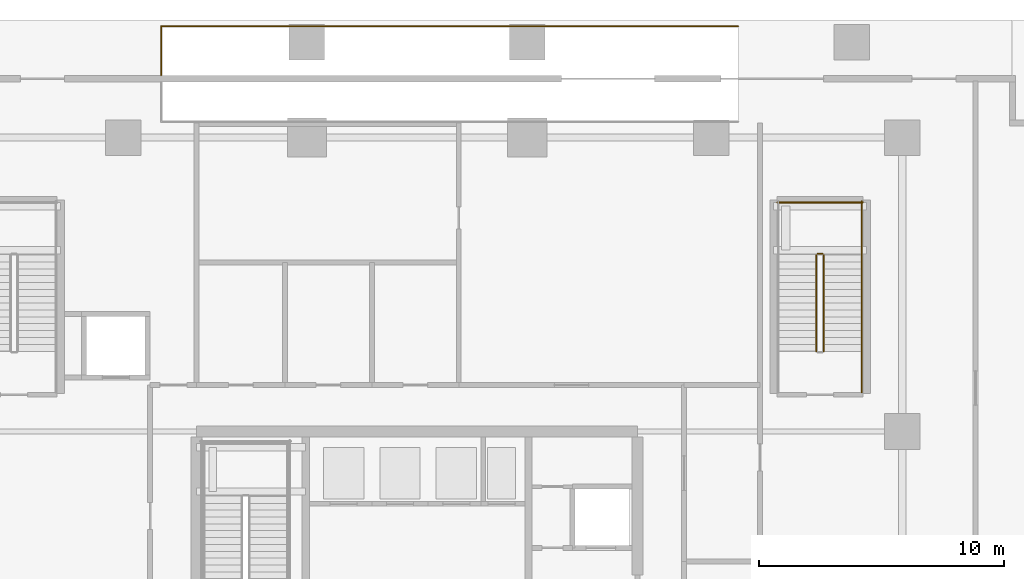
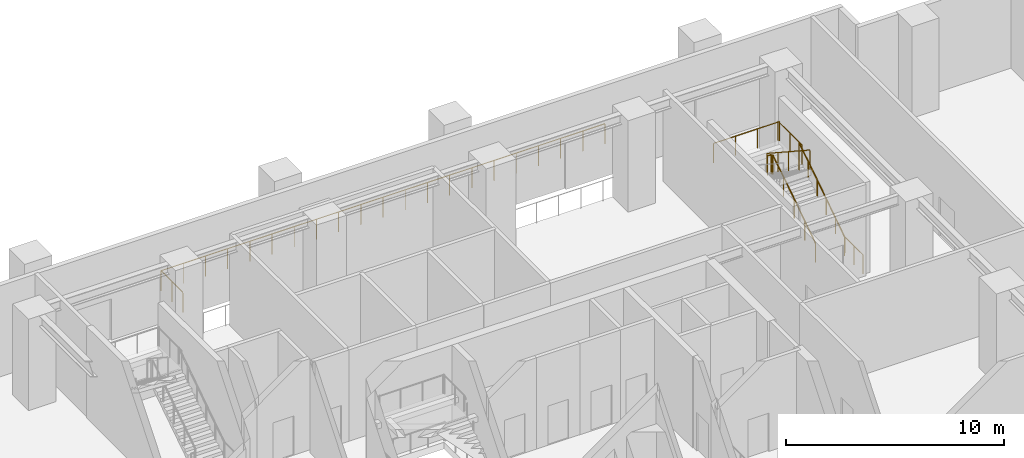
# One storey, part 14 of 15: 8 railings.
"""IFC4 building model written with IfcOpenShell, lengths in metres."""

from ifc_helpers import new_model, si_unit, direction, frame, origin, origin_2d, place, context, subcontext, project, spatial, circle, extrude, material, type_object, element, save


model = new_model("IFC4")

# Units and contexts
model_context = context("Model", 3, precision=1e-05, world=origin(), true_north=direction((0.0, 1.0)))
body_context = subcontext(model_context, "Body", "Model", "MODEL_VIEW")
ifc_project = project(units=[si_unit("LENGTHUNIT", "METRE"), si_unit("AREAUNIT", "SQUARE_METRE"), si_unit("VOLUMEUNIT", "CUBIC_METRE"), si_unit("PLANEANGLEUNIT", "RADIAN"), si_unit("MASSUNIT", "GRAM", prefix="KILO")], contexts=[model_context])

# Site, building, storey
site_placement = place(None, origin())
site = spatial("IfcSite", under=ifc_project, at=site_placement, CompositionType="ELEMENT")
building_placement = place(site_placement, origin())
building = spatial("IfcBuilding", under=site, at=building_placement, Name="Serunith Strait Residences", CompositionType="ELEMENT")
storey_placement = place(building_placement, origin())
storey = spatial("IfcBuildingStorey", under=building, at=storey_placement, Name="L00", CompositionType="ELEMENT", Elevation=0.0)

# Railings
ifc_material = material(Name="Brushed stainless steel 316L", Category="steel")
railing_type_1 = type_object("IfcRailingType", Name="RLG-STAIR-GUARD", PredefinedType="BALUSTRADE", material=ifc_material)
railing_1_placement = place(storey_placement, frame((49.0, 36.8798828125, 0.183349609375)))
element("IfcRailing", 1, at=railing_1_placement, inside=storey, type_object=railing_type_1, Name="L00 ST-4 stair guard 1", PredefinedType="BALUSTRADE", context=body_context, shape_type="SweptSolid", body=[
    extrude(circle(Radius=0.02392578125, at=origin_2d()), frame((0.0, 0.001708984375, 1.0771484375), z_axis=(0.0, 0.836630751959, 0.54776727255), x_axis=(-1.0, 0.0, 0.0)), (0.0, 0.0, 1.0), 4.681640625),
    extrude(circle(Radius=0.02099609375, at=origin_2d()), origin(), (0.0, 0.0, 1.0), 1.050048828125),
    extrude(circle(Radius=0.02099609375, at=origin_2d()), frame((0.0, 0.97998046875, 0.6416015625)), (0.0, 0.0, 1.0), 1.050048828125),
    extrude(circle(Radius=0.02099609375, at=origin_2d()), frame((0.0, 1.9599609375, 1.283203125)), (0.0, 0.0, 1.0), 1.050048828125),
    extrude(circle(Radius=0.02099609375, at=origin_2d()), frame((0.0, 2.940185546875, 1.925048828125)), (0.0, 0.0, 1.0), 1.050048828125),
    extrude(circle(Radius=0.02099609375, at=origin_2d()), frame((0.0, 3.920166015625, 2.566650390625)), (0.0, 0.0, 1.0), 1.050048828125),
])
railing_2_placement = place(storey_placement, frame((48.949951171875, 40.85009765625, 2.75)))
element("IfcRailing", 2, at=railing_2_placement, inside=storey, type_object=railing_type_1, Name="L00 ST-4 stair guard 2", PredefinedType="BALUSTRADE", context=body_context, shape_type="SweptSolid", body=[
    extrude(circle(Radius=0.02392578125, at=origin_2d()), frame((-0.001953125, 0.0, 1.076171875), z_axis=(-1.0, 0.0, 0.0), x_axis=(0.0, -1.0, 0.0)), (0.0, 0.0, 1.0), 0.196044921875),
    extrude(circle(Radius=0.02099609375, at=origin_2d()), origin(), (0.0, 0.0, 1.0), 1.050048828125),
    extrude(circle(Radius=0.02099609375, at=origin_2d()), frame((-0.199951171875, 0.0, 0.0)), (0.0, 0.0, 1.0), 1.050048828125),
])
railing_3_placement = place(storey_placement, frame((50.550048828125, 40.800048828125, 2.75)))
element("IfcRailing", 3, at=railing_3_placement, inside=storey, type_object=railing_type_1, Name="L00 ST-4 stair guard 3", PredefinedType="BALUSTRADE", context=body_context, shape_type="SweptSolid", body=[
    extrude(circle(Radius=0.02392578125, at=origin_2d()), frame((0.0, 0.001953125, 1.076171875), z_axis=(0.0, 1.0, 0.0), x_axis=(-1.0, 0.0, 0.0)), (0.0, 0.0, 1.0), 2.196044921875),
    extrude(circle(Radius=0.02099609375, at=origin_2d()), origin(), (0.0, 0.0, 1.0), 1.050048828125),
    extrude(circle(Radius=0.02099609375, at=origin_2d()), frame((0.0, 1.10009765625, 0.0)), (0.0, 0.0, 1.0), 1.050048828125),
    extrude(circle(Radius=0.02099609375, at=origin_2d()), frame((0.0, 2.199951171875, 0.0)), (0.0, 0.0, 1.0), 1.050048828125),
])
railing_4_placement = place(storey_placement, frame((50.60009765625, 42.949951171875, 2.75)))
element("IfcRailing", 4, at=railing_4_placement, inside=storey, type_object=railing_type_1, Name="L00 ST-4 stair guard 5", PredefinedType="BALUSTRADE", context=body_context, shape_type="SweptSolid", body=[
    extrude(circle(Radius=0.02392578125, at=origin_2d()), frame((-0.001953125, 0.0, 1.076171875), z_axis=(-1.0, 0.0, 0.0), x_axis=(0.0, -1.0, 0.0)), (0.0, 0.0, 1.0), 3.49609375),
    extrude(circle(Radius=0.02099609375, at=origin_2d()), origin(), (0.0, 0.0, 1.0), 1.050048828125),
    extrude(circle(Radius=0.02099609375, at=origin_2d()), frame((-1.166748046875, 0.0, 0.0)), (0.0, 0.0, 1.0), 1.050048828125),
    extrude(circle(Radius=0.02099609375, at=origin_2d()), frame((-2.333251953125, 0.0, 0.0)), (0.0, 0.0, 1.0), 1.050048828125),
    extrude(circle(Radius=0.02099609375, at=origin_2d()), frame((-3.5, 0.0, 0.0)), (0.0, 0.0, 1.0), 1.050048828125),
])
railing_5_placement = place(storey_placement, frame((48.699951171875, 40.800048828125, 2.933349609375)))
element("IfcRailing", 5, at=railing_5_placement, inside=storey, type_object=railing_type_1, Name="L00 ST-4 stair guard 6", PredefinedType="BALUSTRADE", context=body_context, shape_type="SweptSolid", body=[
    extrude(circle(Radius=0.02392578125, at=origin_2d()), frame((0.0, -0.001708984375, 1.0771484375), z_axis=(0.0, -0.836630751959, 0.54776727255), x_axis=(1.0, 0.0, 0.0)), (0.0, 0.0, 1.0), 4.681640625),
    extrude(circle(Radius=0.02099609375, at=origin_2d()), origin(), (0.0, 0.0, 1.0), 1.050048828125),
    extrude(circle(Radius=0.02099609375, at=origin_2d()), frame((0.0, -0.97998046875, 0.6416015625)), (0.0, 0.0, 1.0), 1.050048828125),
    extrude(circle(Radius=0.02099609375, at=origin_2d()), frame((0.0, -1.9599609375, 1.283203125)), (0.0, 0.0, 1.0), 1.050048828125),
    extrude(circle(Radius=0.02099609375, at=origin_2d()), frame((0.0, -2.940185546875, 1.925048828125)), (0.0, 0.0, 1.0), 1.050048828125),
    extrude(circle(Radius=0.02099609375, at=origin_2d()), frame((0.0, -3.920166015625, 2.566650390625)), (0.0, 0.0, 1.0), 1.050048828125),
])
railing_6_placement = place(storey_placement, frame((50.550048828125, 35.199951171875, 0.0)))
element("IfcRailing", 6, at=railing_6_placement, inside=storey, type_object=railing_type_1, Name="L00 ST-4 stair guard 8", PredefinedType="BALUSTRADE", context=body_context, shape_type="SweptSolid", body=[
    extrude(circle(Radius=0.02392578125, at=origin_2d()), frame((0.0, 0.001953125, 1.076171875), z_axis=(0.0, 1.0, 0.0), x_axis=(-1.0, 0.0, 0.0)), (0.0, 0.0, 1.0), 1.676025390625),
    extrude(circle(Radius=0.02099609375, at=origin_2d()), origin(), (0.0, 0.0, 1.0), 1.050048828125),
    extrude(circle(Radius=0.02099609375, at=origin_2d()), frame((0.0, 0.83984375, 0.0)), (0.0, 0.0, 1.0), 1.050048828125),
    extrude(circle(Radius=0.02099609375, at=origin_2d()), frame((0.0, 1.679931640625, 0.0)), (0.0, 0.0, 1.0), 1.050048828125),
])
railing_7_placement = place(storey_placement, frame((21.949951171875, 48.14990234375, 0.0)))
element("IfcRailing", 7, at=railing_7_placement, inside=storey, type_object=railing_type_1, Name="L00 Vehicle Ramp Well Driveway Safety Balustrade", PredefinedType="BALUSTRADE", context=body_context, shape_type="SweptSolid", body=[
    extrude(circle(Radius=0.02392578125, at=origin_2d()), frame((0.0, 0.001953125, 1.1259765625), z_axis=(0.0, 1.0, 0.0), x_axis=(-1.0, 0.0, 0.0)), (0.0, 0.0, 1.0), 1.99609375),
    extrude(circle(Radius=0.02392578125, at=origin_2d()), frame((0.001953125, 2.0, 1.1259765625), z_axis=(1.0, 0.0, 0.0), x_axis=(0.0, 1.0, 0.0)), (0.0, 0.0, 1.0), 23.546142578125),
    extrude(circle(Radius=0.02099609375, at=origin_2d()), origin(), (0.0, 0.0, 1.0), 1.099853515625),
    extrude(circle(Radius=0.02099609375, at=origin_2d()), frame((0.0, 1.0, 0.0)), (0.0, 0.0, 1.0), 1.099853515625),
    extrude(circle(Radius=0.02099609375, at=origin_2d()), frame((0.0, 2.0, 0.0)), (0.0, 0.0, 1.0), 1.099853515625),
    extrude(circle(Radius=0.02099609375, at=origin_2d()), frame((1.177490234375, 2.0, 0.0)), (0.0, 0.0, 1.0), 1.099853515625),
    extrude(circle(Radius=0.02099609375, at=origin_2d()), frame((2.35498046875, 2.0, 0.0)), (0.0, 0.0, 1.0), 1.099853515625),
    extrude(circle(Radius=0.02099609375, at=origin_2d()), frame((3.532470703125, 2.0, 0.0)), (0.0, 0.0, 1.0), 1.099853515625),
    extrude(circle(Radius=0.02099609375, at=origin_2d()), frame((4.7099609375, 2.0, 0.0)), (0.0, 0.0, 1.0), 1.099853515625),
    extrude(circle(Radius=0.02099609375, at=origin_2d()), frame((5.887451171875, 2.0, 0.0)), (0.0, 0.0, 1.0), 1.099853515625),
    extrude(circle(Radius=0.02099609375, at=origin_2d()), frame((7.06494140625, 2.0, 0.0)), (0.0, 0.0, 1.0), 1.099853515625),
    extrude(circle(Radius=0.02099609375, at=origin_2d()), frame((8.242431640625, 2.0, 0.0)), (0.0, 0.0, 1.0), 1.099853515625),
    extrude(circle(Radius=0.02099609375, at=origin_2d()), frame((9.419921875, 2.0, 0.0)), (0.0, 0.0, 1.0), 1.099853515625),
    extrude(circle(Radius=0.02099609375, at=origin_2d()), frame((10.597412109375, 2.0, 0.0)), (0.0, 0.0, 1.0), 1.099853515625),
    extrude(circle(Radius=0.02099609375, at=origin_2d()), frame((11.77490234375, 2.0, 0.0)), (0.0, 0.0, 1.0), 1.099853515625),
    extrude(circle(Radius=0.02099609375, at=origin_2d()), frame((12.95263671875, 2.0, 0.0)), (0.0, 0.0, 1.0), 1.099853515625),
    extrude(circle(Radius=0.02099609375, at=origin_2d()), frame((14.130126953125, 2.0, 0.0)), (0.0, 0.0, 1.0), 1.099853515625),
    extrude(circle(Radius=0.02099609375, at=origin_2d()), frame((15.3076171875, 2.0, 0.0)), (0.0, 0.0, 1.0), 1.099853515625),
    extrude(circle(Radius=0.02099609375, at=origin_2d()), frame((16.485107421875, 2.0, 0.0)), (0.0, 0.0, 1.0), 1.099853515625),
    extrude(circle(Radius=0.02099609375, at=origin_2d()), frame((17.66259765625, 2.0, 0.0)), (0.0, 0.0, 1.0), 1.099853515625),
    extrude(circle(Radius=0.02099609375, at=origin_2d()), frame((18.840087890625, 2.0, 0.0)), (0.0, 0.0, 1.0), 1.099853515625),
    extrude(circle(Radius=0.02099609375, at=origin_2d()), frame((20.017578125, 2.0, 0.0)), (0.0, 0.0, 1.0), 1.099853515625),
    extrude(circle(Radius=0.02099609375, at=origin_2d()), frame((21.195068359375, 2.0, 0.0)), (0.0, 0.0, 1.0), 1.099853515625),
    extrude(circle(Radius=0.02099609375, at=origin_2d()), frame((22.37255859375, 2.0, 0.0)), (0.0, 0.0, 1.0), 1.099853515625),
    extrude(circle(Radius=0.02099609375, at=origin_2d()), frame((23.550048828125, 2.0, 0.0)), (0.0, 0.0, 1.0), 1.099853515625),
])
railing_type_2 = type_object("IfcRailingType", Name="RLG-STAIR-HR", PredefinedType="HANDRAIL", material=ifc_material)
railing_8_placement = place(storey_placement, frame((50.550048828125, 36.8798828125, 0.183349609375)))
element("IfcRailing", 8, at=railing_8_placement, inside=storey, type_object=railing_type_2, Name="L00 ST-4 stair handrail 1", PredefinedType="HANDRAIL", context=body_context, shape_type="SweptSolid", body=[
    extrude(circle(Radius=0.02392578125, at=origin_2d()), frame((0.0, 0.001708984375, 0.876953125), z_axis=(0.0, 0.836184440817, 0.54844833935), x_axis=(-1.0, 0.0, 0.0)), (0.0, 0.0, 1.0), 5.01904296875),
    extrude(circle(Radius=0.02099609375, at=origin_2d()), origin(), (0.0, 0.0, 1.0), 0.849853515625),
    extrude(circle(Radius=0.02099609375, at=origin_2d()), frame((0.0, 0.840087890625, 0.551025390625)), (0.0, 0.0, 1.0), 0.849853515625),
    extrude(circle(Radius=0.02099609375, at=origin_2d()), frame((0.0, 1.68017578125, 1.10205078125)), (0.0, 0.0, 1.0), 0.849853515625),
    extrude(circle(Radius=0.02099609375, at=origin_2d()), frame((0.0, 2.52001953125, 1.65283203125)), (0.0, 0.0, 1.0), 0.849853515625),
    extrude(circle(Radius=0.02099609375, at=origin_2d()), frame((0.0, 3.360107421875, 2.203857421875)), (0.0, 0.0, 1.0), 0.849853515625),
    extrude(circle(Radius=0.02099609375, at=origin_2d()), frame((0.0, 4.2001953125, 2.7548828125)), (0.0, 0.0, 1.0), 0.849853515625),
])

save(model, "model.ifc")
